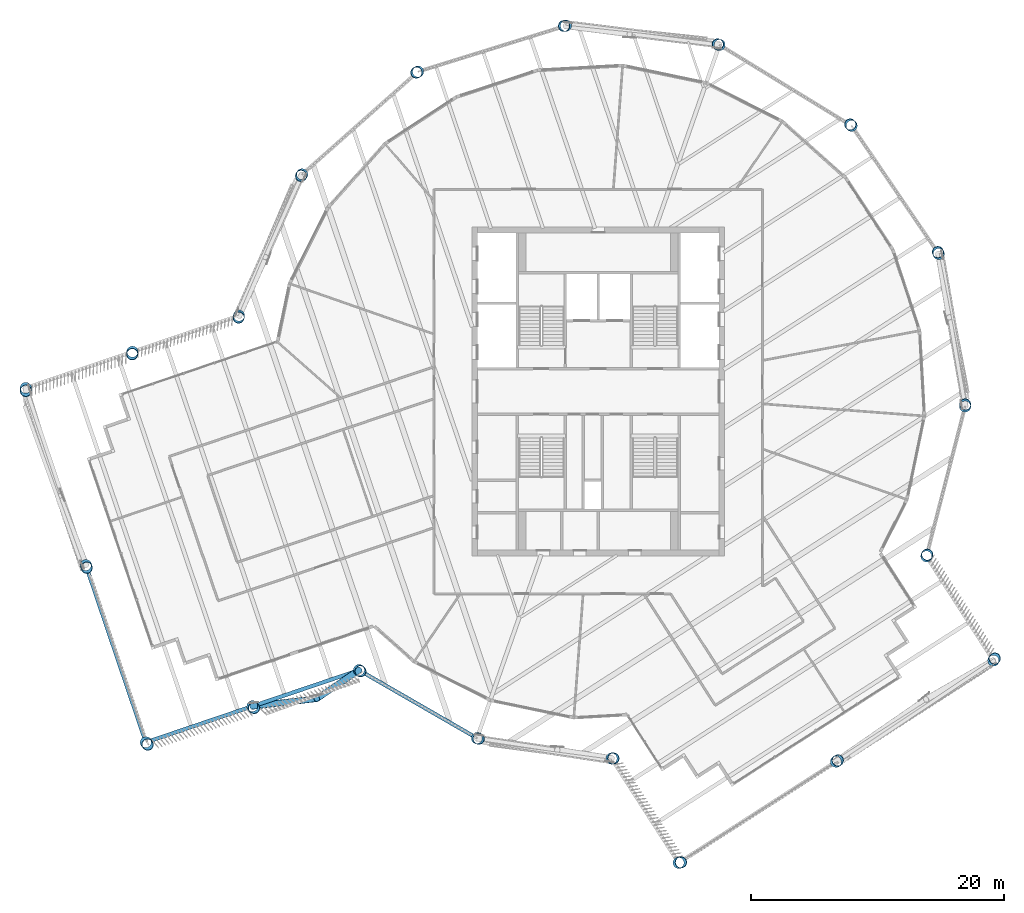
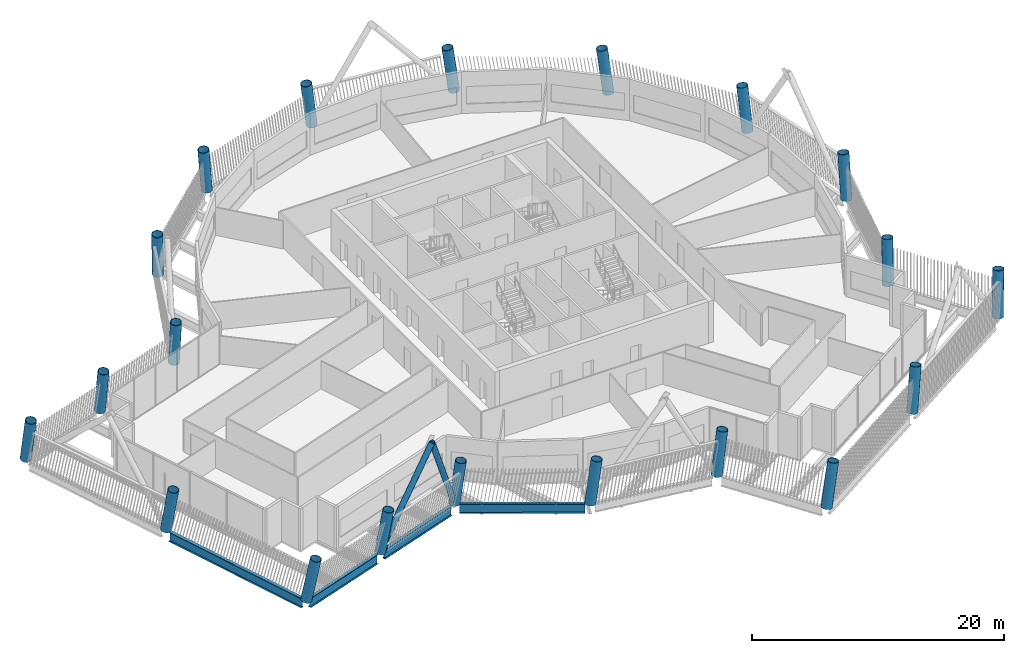
# One storey, part 1 of 35: 20 columns, 4 beams, 2 members.
"""IFC4 building model written with IfcOpenShell, lengths in metres."""

from ifc_helpers import new_model, si_unit, direction, frame, origin, origin_2d, place, context, subcontext, project, spatial, hollow_circle, i_section, extrude, material, material_profile, profile_set, type_object, element, save


model = new_model("IFC4")

# Units and contexts
model_context = context("Model", 3, precision=1e-05, world=origin(), true_north=direction((0.0, 1.0)))
body_context = subcontext(model_context, "Body", "Model", "MODEL_VIEW")
ifc_project = project(units=[si_unit("LENGTHUNIT", "METRE"), si_unit("AREAUNIT", "SQUARE_METRE"), si_unit("VOLUMEUNIT", "CUBIC_METRE"), si_unit("PLANEANGLEUNIT", "RADIAN"), si_unit("MASSUNIT", "GRAM", prefix="KILO")], contexts=[model_context])

# Site, building, storey
site_placement = place(None, origin())
site = spatial("IfcSite", under=ifc_project, at=site_placement, CompositionType="ELEMENT")
building_placement = place(site_placement, origin())
building = spatial("IfcBuilding", under=site, at=building_placement, Name="Tarsis Ring Headquarters", CompositionType="ELEMENT")
storey_placement = place(building_placement, frame((0.0, 0.0, 360.800048828125)))
storey = spatial("IfcBuildingStorey", under=building, at=storey_placement, Name="L85", CompositionType="ELEMENT", Elevation=360.800048828125)

# Columns
ifc_material = material(Name="Structural steel S355", Category="steel")
ifc_material_profile_1 = material_profile(ifc_material, hollow_circle(Radius=0.45703125, WallThickness=0.0400390625, at=origin_2d()), Name="CHS 914x40")
ifc_profile_set_1 = profile_set([ifc_material_profile_1], Name="Structural steel S355")
column_type = type_object("IfcColumnType", Name="XC Exo column CHS 914x40", PredefinedType="COLUMN", material=ifc_profile_set_1)
for number, where, z_axis, x_axis, name in (
    (1, (-9.590087890625, -27.419677734375, 0.01025390625), (0.117918332006, -0.040077196704, 0.992214233561), (0.321794510461, 0.946809533664, 0.0), "Exo column XC8 F1"),
    (2, (1.060546875, -29.029052734375, 0.01025390625), (0.12445267472, 0.005667454518, 0.992209358812), (-0.045491887269, 0.998964708182, 0.0), "Exo column XC8 AK"),
):
    element("IfcColumn", number, at=place(storey_placement, frame(where, z_axis=z_axis, x_axis=x_axis)), inside=storey, type_object=column_type, Name=name, PredefinedType="COLUMN", context=body_context, shape_type="SweptSolid", body=[
        extrude(hollow_circle(Radius=0.457275390625, WallThickness=0.0400390625, at=origin_2d()), origin(), (0.0, 0.0, 1.0), 4.2216796875),
    ])
column_1_placement = place(storey_placement, frame((6.361083984375, -37.277587890625, 0.012939453125), z_axis=(0.158756695415, 0.028550877783, 0.986904837884), x_axis=(-0.177000906958, 0.984210688286, 0.0)))
element("IfcColumn", 3, at=column_1_placement, inside=storey, type_object=column_type, Name="Exo column XC8 AT1", PredefinedType="COLUMN", context=body_context, shape_type="SweptSolid", body=[
    extrude(hollow_circle(Radius=0.457275390625, WallThickness=0.0400390625, at=origin_2d()), origin(), (0.0, 0.0, 1.0), 4.2412109375),
])
column_2_placement = place(storey_placement, frame((18.81201171875, -29.277099609375, 0.011962890625), z_axis=(0.124437864483, 0.081536209629, 0.988871611688), x_axis=(-0.548063662233, 0.836436621711, 0.0)))
element("IfcColumn", 4, at=column_2_placement, inside=storey, type_object=column_type, Name="Exo column XC8 AT2", PredefinedType="COLUMN", context=body_context, shape_type="SweptSolid", body=[
    extrude(hollow_circle(Radius=0.457275390625, WallThickness=0.0400390625, at=origin_2d()), origin(), (0.0, 0.0, 1.0), 4.23388671875),
])
column_3_placement = place(storey_placement, frame((31.263427734375, -21.2763671875, 0.012939453125), z_axis=(0.089509451741, 0.134177834089, 0.98690646309), x_axis=(-0.831885544153, 0.554947242024, 0.0)))
element("IfcColumn", 5, at=column_3_placement, inside=storey, type_object=column_type, Name="Exo column XC8 AT3", PredefinedType="COLUMN", context=body_context, shape_type="SweptSolid", body=[
    extrude(hollow_circle(Radius=0.457275390625, WallThickness=0.0400390625, at=origin_2d()), origin(), (0.0, 0.0, 1.0), 4.2412109375),
])
for number, where, z_axis, x_axis, name in (
    (6, (25.963134765625, -13.0283203125, 0.01025390625), (0.054824098871, 0.111845788203, 0.992212093176), (-0.897927918599, 0.440142537141, 0.0), "Exo column XC8 AJ"),
    (7, (29.02490234375, -1.168212890625, 0.01025390625), (0.0039325239, 0.12451064643, 0.99221047877), (-0.999501603482, 0.031568095233, 0.0), "Exo column XC8 R1"),
    (8, (26.92626953125, 10.8994140625, 0.01025390625), (-0.047826429015, 0.115026320812, 0.992210450564), (-0.923365094071, -0.383923043136, 0.0), "Exo column XC8 R2"),
    (9, (20.039794921875, 21.029052734375, 0.01025390625), (-0.090968366521, 0.085127422453, 0.992208686839), (-0.683276900355, -0.730159350719, 0.0), "Exo column XC8 R3"),
    (10, (9.590087890625, 27.419677734375, 0.01025390625), (-0.117918332006, 0.040077196704, 0.992214233561), (-0.321794510461, -0.946809533664, 0.0), "Exo column XC8 R4"),
    (11, (-2.564697265625, 28.93505859375, 0.01025390625), (-0.123933142968, -0.012086806757, 0.992216954691), (0.0970663018, -0.995277917496, 0.0), "Exo column XC8 R5"),
    (12, (-14.263427734375, 25.3056640625, 0.01025390625), (-0.1079135248, -0.062168831275, 0.992214547154), (0.499186360276, -0.866494649559, 0.0), "Exo column XC8 R6"),
    (13, (-23.426025390625, 17.1767578125, 0.01025390625), (-0.072751505776, -0.101146568841, 0.992207936886), (0.811815971256, -0.583913374409, 0.0), "Exo column XC8 R7"),
    (14, (-28.42333984375, 5.99365234375, 0.01025390625), (-0.024636023752, -0.12213916001, 0.992207181956), (0.98025803366, -0.197722501108, 0.0), "Exo column XC8 BJ"),
):
    element("IfcColumn", number, at=place(storey_placement, frame(where, z_axis=z_axis, x_axis=x_axis)), inside=storey, type_object=column_type, Name=name, PredefinedType="COLUMN", context=body_context, shape_type="SweptSolid", body=[
        extrude(hollow_circle(Radius=0.457275390625, WallThickness=0.0400390625, at=origin_2d()), origin(), (0.0, 0.0, 1.0), 4.2216796875),
    ])
column_4_placement = place(storey_placement, frame((-36.854736328125, 3.1357421875, 0.0126953125), z_axis=(-0.011921434608, -0.15739749171, 0.987463370966), x_axis=(0.997143937104, -0.075524623118, 0.0)))
element("IfcColumn", 15, at=column_4_placement, inside=storey, type_object=column_type, Name="Exo column XC8 BO1", PredefinedType="COLUMN", context=body_context, shape_type="SweptSolid", body=[
    extrude(hollow_circle(Radius=0.457275390625, WallThickness=0.0400390625, at=origin_2d()), origin(), (0.0, 0.0, 1.0), 4.2392578125),
])
column_5_placement = place(storey_placement, frame((-45.28564453125, 0.27783203125, 0.014892578125), z_axis=(0.000515429856, -0.19208352627, 0.981378445488), x_axis=(0.999996399801, 0.002683353488, 0.0)))
element("IfcColumn", 16, at=column_5_placement, inside=storey, type_object=column_type, Name="Exo column XC8 BT3", PredefinedType="COLUMN", context=body_context, shape_type="SweptSolid", body=[
    extrude(hollow_circle(Radius=0.457275390625, WallThickness=0.0400390625, at=origin_2d()), origin(), (0.0, 0.0, 1.0), 4.262939453125),
])
column_6_placement = place(storey_placement, frame((-40.534912109375, -13.73876953125, 0.01416015625), z_axis=(0.059951067102, -0.171764109957, 0.983312239365), x_axis=(0.944143149747, 0.329535601698, 0.0)))
element("IfcColumn", 17, at=column_6_placement, inside=storey, type_object=column_type, Name="Exo column XC8 BT2", PredefinedType="COLUMN", context=body_context, shape_type="SweptSolid", body=[
    extrude(hollow_circle(Radius=0.457275390625, WallThickness=0.0400390625, at=origin_2d()), origin(), (0.0, 0.0, 1.0), 4.255615234375),
])
column_7_placement = place(storey_placement, frame((-35.783935546875, -27.755859375, 0.014892578125), z_axis=(0.119065272014, -0.15067856213, 0.981386484477), x_axis=(0.784607881238, 0.619992316645, 0.0)))
element("IfcColumn", 18, at=column_7_placement, inside=storey, type_object=column_type, Name="Exo column XC8 BT1", PredefinedType="COLUMN", context=body_context, shape_type="SweptSolid", body=[
    extrude(hollow_circle(Radius=0.457275390625, WallThickness=0.0400390625, at=origin_2d()), origin(), (0.0, 0.0, 1.0), 4.262939453125),
])
column_8_placement = place(storey_placement, frame((-27.353271484375, -24.897705078125, 0.0126953125), z_axis=(0.107349349514, -0.115815204867, 0.987452761139), x_axis=(0.733403687837, 0.67979337351, 0.0)))
element("IfcColumn", 19, at=column_8_placement, inside=storey, type_object=column_type, Name="Exo column XC8 BI1", PredefinedType="COLUMN", context=body_context, shape_type="SweptSolid", body=[
    extrude(hollow_circle(Radius=0.457275390625, WallThickness=0.0400390625, at=origin_2d()), origin(), (0.0, 0.0, 1.0), 4.2392578125),
])
column_9_placement = place(storey_placement, frame((-18.92236328125, -22.0400390625, 0.01025390625), z_axis=(0.095248182277, -0.080269870674, 0.992211938869), x_axis=(0.644421643522, 0.764670350779, 0.0)))
element("IfcColumn", 20, at=column_9_placement, inside=storey, type_object=column_type, Name="Exo column XC8 BK", PredefinedType="COLUMN", context=body_context, shape_type="SweptSolid", body=[
    extrude(hollow_circle(Radius=0.457275390625, WallThickness=0.0400390625, at=origin_2d()), origin(), (0.0, 0.0, 1.0), 4.2216796875),
])

# Members
ifc_material_profile_2 = material_profile(ifc_material, hollow_circle(Radius=0.25390625, WallThickness=0.02001953125, at=origin_2d()), Name="CHS 508x20")
ifc_profile_set_2 = profile_set([ifc_material_profile_2], Name="Structural steel S355")
member_type = type_object("IfcMemberType", Name="XD X brace CHS 508x20", PredefinedType="BRACE", material=ifc_profile_set_2)
member_1_placement = place(storey_placement, frame((-27.3544921875, -24.896240234375, 0.0), z_axis=(0.51670412975, 0.06140484278, 0.853959183792), x_axis=(-0.118009077029, 0.993012516406, 0.0)))
element("IfcMember", 21, at=member_1_placement, inside=storey, type_object=member_type, Name="X brace XD2", PredefinedType="BRACE", context=body_context, shape_type="SweptSolid", body=[
    extrude(hollow_circle(Radius=0.25390625, WallThickness=0.02001953125, at=origin_2d()), origin(), (0.0, 0.0, 1.0), 9.83642578125),
])
member_2_placement = place(storey_placement, frame((-18.92333984375, -22.039306640625, 0.0), z_axis=(-0.359326406885, -0.24175153709, 0.901354939871), x_axis=(0.558213036077, -0.829697659605, 0.0)))
element("IfcMember", 22, at=member_2_placement, inside=storey, type_object=member_type, Name="X brace XD2", PredefinedType="BRACE", context=body_context, shape_type="SweptSolid", body=[
    extrude(hollow_circle(Radius=0.25390625, WallThickness=0.02001953125, at=origin_2d()), origin(), (0.0, 0.0, 1.0), 9.319091796875),
])

# Beams
ifc_material_profile_3 = material_profile(ifc_material, i_section(OverallWidth=0.3046875, OverallDepth=0.91943359375, WebThickness=0.017333984375, FlangeThickness=0.02783203125, at=origin_2d()), Name="W36x170")
ifc_profile_set_3 = profile_set([ifc_material_profile_3], Name="Structural steel S355")
beam_type = type_object("IfcBeamType", Name="XG Ring girder W36x170", PredefinedType="BEAM", material=ifc_profile_set_3)
beam_1_placement = place(storey_placement, frame((-40.40380859375, -14.1259765625, -0.459716796875), z_axis=(0.320939967773, -0.947099539165, 0.0), x_axis=(0.947099539165, 0.320939967773, 0.0)))
element("IfcBeam", 23, at=beam_1_placement, inside=storey, type_object=beam_type, Name="Ring girder XG4", PredefinedType="BEAM", context=body_context, shape_type="SweptSolid", body=[
    extrude(i_section(OverallWidth=0.3046875, OverallDepth=0.91943359375, WebThickness=0.017333984375, FlangeThickness=0.02783203125, at=origin_2d()), origin(), (0.0, 0.0, 1.0), 13.977294921875),
])
beam_2_placement = place(storey_placement, frame((-35.396240234375, -27.621337890625, -0.459716796875), z_axis=(0.947100287886, 0.320937758276, 0.0), x_axis=(-0.320937758276, 0.947100287886, 0.0)))
element("IfcBeam", 24, at=beam_2_placement, inside=storey, type_object=beam_type, Name="Ring girder XG4", PredefinedType="BEAM", context=body_context, shape_type="SweptSolid", body=[
    extrude(i_section(OverallWidth=0.3046875, OverallDepth=0.91943359375, WebThickness=0.017333984375, FlangeThickness=0.02783203125, at=origin_2d()), origin(), (0.0, 0.0, 1.0), 8.07958984375),
])
beam_3_placement = place(storey_placement, frame((-26.96484375, -24.76416015625, -0.459716796875), z_axis=(0.94710636039, 0.320919837513, 0.0), x_axis=(-0.320919837513, 0.94710636039, 0.0)))
element("IfcBeam", 25, at=beam_3_placement, inside=storey, type_object=beam_type, Name="Ring girder XG4", PredefinedType="BEAM", context=body_context, shape_type="SweptSolid", body=[
    extrude(i_section(OverallWidth=0.3046875, OverallDepth=0.91943359375, WebThickness=0.017333984375, FlangeThickness=0.02783203125, at=origin_2d()), origin(), (0.0, 0.0, 1.0), 8.0791015625),
])
beam_4_placement = place(storey_placement, frame((-18.56689453125, -22.24462890625, -0.459716796875), z_axis=(0.866330986864, -0.499470340659, 0.0), x_axis=(0.499470340659, 0.866330986864, 0.0)))
element("IfcBeam", 26, at=beam_4_placement, inside=storey, type_object=beam_type, Name="Ring girder XG4", PredefinedType="BEAM", context=body_context, shape_type="SweptSolid", body=[
    extrude(i_section(OverallWidth=0.3046875, OverallDepth=0.91943359375, WebThickness=0.017333984375, FlangeThickness=0.02783203125, at=origin_2d()), origin(), (0.0, 0.0, 1.0), 9.948974609375),
])

save(model, "model.ifc")
